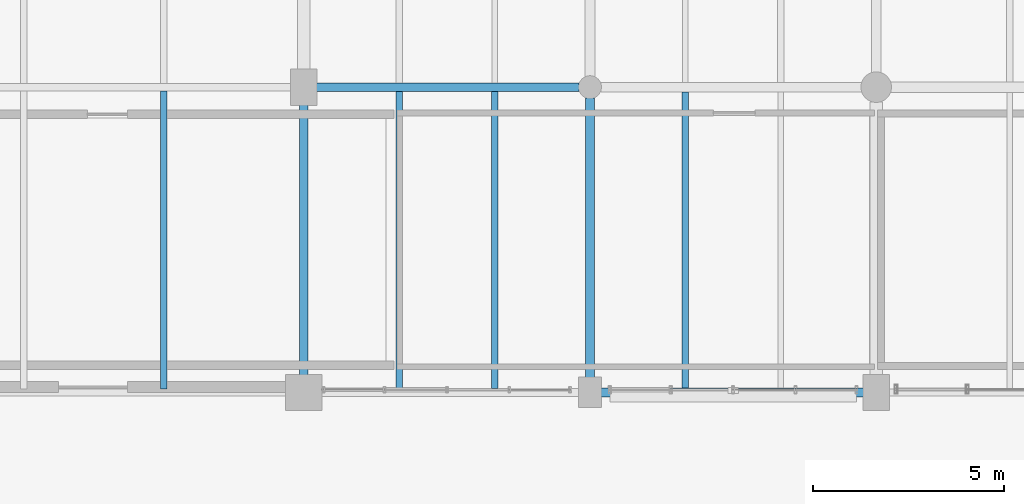
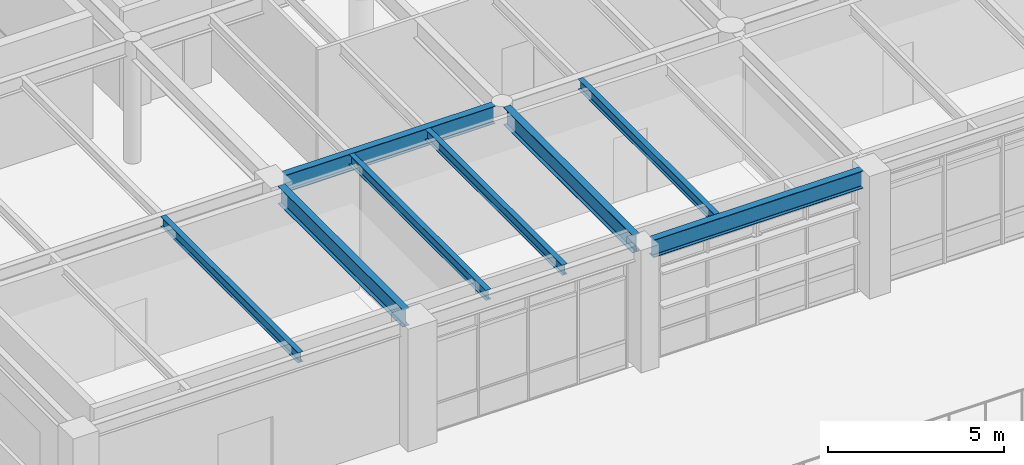
# One storey, part 71 of 168: 8 beams.
"""IFC4 building model written with IfcOpenShell, lengths in metres."""

from ifc_helpers import new_model, si_unit, direction, frame, origin, origin_2d, place, context, subcontext, project, spatial, i_section, extrude, material, material_profile, profile_set, type_object, element, save


model = new_model("IFC4")

# Units and contexts
model_context = context("Model", 3, precision=1e-05, world=origin(), true_north=direction((0.0, 1.0)))
body_context = subcontext(model_context, "Body", "Model", "MODEL_VIEW")
ifc_project = project(units=[si_unit("LENGTHUNIT", "METRE"), si_unit("AREAUNIT", "SQUARE_METRE"), si_unit("VOLUMEUNIT", "CUBIC_METRE"), si_unit("PLANEANGLEUNIT", "RADIAN"), si_unit("MASSUNIT", "GRAM", prefix="KILO"), si_unit("THERMODYNAMICTEMPERATUREUNIT", "KELVIN"), si_unit("POWERUNIT", "WATT")], contexts=[model_context])

# Site, building, storey
site_placement = place(None, origin())
site = spatial("IfcSite", under=ifc_project, at=site_placement, CompositionType="ELEMENT")
building_placement = place(site_placement, origin())
building = spatial("IfcBuilding", under=site, at=building_placement, Name="Tepalcoro Natatorium and Aquatics Centre", CompositionType="ELEMENT")
storey_placement = place(building_placement, frame((0.0, 0.0, 10.199951171875)))
storey = spatial("IfcBuildingStorey", under=building, at=storey_placement, Name="L02", CompositionType="ELEMENT", Elevation=10.199951171875)

# Beams
ifc_material = material(Name="Steel ASTM A992 Grade 50 (Fy 345 MPa)", Category="steel")
ifc_material_profile_1 = material_profile(ifc_material, i_section(OverallWidth=0.22802734375, OverallDepth=0.60693359375, WebThickness=0.010986328125, FlangeThickness=0.01708984375, FilletRadius=0.013916015625, at=origin_2d()), Name="W24X76")
ifc_profile_set_1 = profile_set([ifc_material_profile_1], Name="Steel ASTM A992 Grade 50 (Fy 345 MPa)")
beam_type_1 = type_object("IfcBeamType", Name="BM_W24x76", PredefinedType="BEAM", material=ifc_profile_set_1)
beam_1_placement = place(storey_placement, frame((21.3349609375, 102.0, 3.931640625), z_axis=(1.0, 0.0, 0.0), x_axis=(0.0, 1.0, 0.0)))
element("IfcBeam", 1, at=beam_1_placement, inside=storey, type_object=beam_type_1, Name="V4 L02 Grid Girder X", PredefinedType="BEAM", context=body_context, shape_type="SweptSolid", body=[
    extrude(i_section(OverallWidth=0.22802734375, OverallDepth=0.60693359375, WebThickness=0.010986328125, FlangeThickness=0.01708984375, FilletRadius=0.013916015625, at=origin_2d()), origin(), (0.0, 0.0, 1.0), 6.880126953125),
])
beam_2_placement = place(storey_placement, frame((21.0, 94.4599609375, 3.931640625), z_axis=(0.0, 1.0, 0.0), x_axis=(-1.0, 0.0, 0.0)))
element("IfcBeam", 2, at=beam_2_placement, inside=storey, type_object=beam_type_1, Name="V4 L02 Grid Girder Y", PredefinedType="BEAM", context=body_context, shape_type="SweptSolid", body=[
    extrude(i_section(OverallWidth=0.22802734375, OverallDepth=0.60693359375, WebThickness=0.010986328125, FlangeThickness=0.01708984375, FilletRadius=0.013916015625, at=origin_2d()), origin(), (0.0, 0.0, 1.0), 7.080078125),
])
ifc_material_profile_2 = material_profile(ifc_material, i_section(OverallWidth=0.22998046875, OverallDepth=0.616943359375, WebThickness=0.012939453125, FlangeThickness=0.02197265625, FilletRadius=0.013916015625, at=origin_2d()), Name="W24X94")
ifc_profile_set_2 = profile_set([ifc_material_profile_2], Name="Steel ASTM A992 Grade 50 (Fy 345 MPa)")
beam_type_2 = type_object("IfcBeamType", Name="BM_W24x94", PredefinedType="BEAM", material=ifc_profile_set_2)
beam_3_placement = place(storey_placement, frame((28.5, 94.385009765625, 3.926513671875), z_axis=(0.0, 1.0, 0.0), x_axis=(-1.0, 0.0, 0.0)))
element("IfcBeam", 3, at=beam_3_placement, inside=storey, type_object=beam_type_2, Name="V4 L02 Grid Girder Y", PredefinedType="BEAM", context=body_context, shape_type="SweptSolid", body=[
    extrude(i_section(OverallWidth=0.22998046875, OverallDepth=0.616943359375, WebThickness=0.012939453125, FlangeThickness=0.02197265625, FilletRadius=0.013916015625, at=origin_2d()), origin(), (0.0, 0.0, 1.0), 7.330078125),
])
ifc_material_profile_3 = material_profile(ifc_material, i_section(OverallWidth=0.1708984375, OverallDepth=0.35107421875, WebThickness=0.007080078125, FlangeThickness=0.010009765625, FilletRadius=0.013916015625, at=origin_2d()), Name="W14X30")
ifc_profile_set_3 = profile_set([ifc_material_profile_3], Name="Steel ASTM A992 Grade 50 (Fy 345 MPa)")
beam_type_3 = type_object("IfcBeamType", Name="JS_W14x30", PredefinedType="JOIST", material=ifc_profile_set_3)
beam_4_placement = place(storey_placement, frame((17.333251953125, 94.095458984375, 4.0595703125), z_axis=(0.0, 1.0, 0.0), x_axis=(-1.0, 0.0, 0.0)))
element("IfcBeam", 4, at=beam_4_placement, inside=storey, type_object=beam_type_3, Name="V4 L02 Floor Joist", PredefinedType="JOIST", context=body_context, shape_type="SweptSolid", body=[
    extrude(i_section(OverallWidth=0.1708984375, OverallDepth=0.35107421875, WebThickness=0.007080078125, FlangeThickness=0.010009765625, FilletRadius=0.013916015625, at=origin_2d()), origin(), (0.0, 0.0, 1.0), 7.80810546875),
])
beam_5_placement = place(storey_placement, frame((23.5, 94.10498046875, 4.0595703125), z_axis=(0.0, 1.0, 0.0), x_axis=(-1.0, 0.0, 0.0)))
element("IfcBeam", 5, at=beam_5_placement, inside=storey, type_object=beam_type_3, Name="V4 L02 Floor Joist", PredefinedType="JOIST", context=body_context, shape_type="SweptSolid", body=[
    extrude(i_section(OverallWidth=0.1708984375, OverallDepth=0.35107421875, WebThickness=0.007080078125, FlangeThickness=0.010009765625, FilletRadius=0.013916015625, at=origin_2d()), origin(), (0.0, 0.0, 1.0), 7.781005859375),
])
ifc_material_profile_4 = material_profile(ifc_material, i_section(OverallWidth=0.172119140625, OverallDepth=0.35791015625, WebThickness=0.008056640625, FlangeThickness=0.012939453125, FilletRadius=0.013916015625, at=origin_2d()), Name="W14X38")
ifc_profile_set_4 = profile_set([ifc_material_profile_4], Name="Steel ASTM A992 Grade 50 (Fy 345 MPa)")
beam_type_4 = type_object("IfcBeamType", Name="JS_W14x38", PredefinedType="JOIST", material=ifc_profile_set_4)
beam_6_placement = place(storey_placement, frame((26.0, 94.10498046875, 4.05615234375), z_axis=(0.0, 1.0, 0.0), x_axis=(-1.0, 0.0, 0.0)))
element("IfcBeam", 6, at=beam_6_placement, inside=storey, type_object=beam_type_4, Name="V4 L02 Floor Joist", PredefinedType="JOIST", context=body_context, shape_type="SweptSolid", body=[
    extrude(i_section(OverallWidth=0.172119140625, OverallDepth=0.35791015625, WebThickness=0.008056640625, FlangeThickness=0.012939453125, FilletRadius=0.013916015625, at=origin_2d()), origin(), (0.0, 0.0, 1.0), 7.781005859375),
])
beam_7_placement = place(storey_placement, frame((31.0, 94.114501953125, 4.05615234375), z_axis=(0.0, 1.0, 0.0), x_axis=(-1.0, 0.0, 0.0)))
element("IfcBeam", 7, at=beam_7_placement, inside=storey, type_object=beam_type_4, Name="V4 L02 Floor Joist", PredefinedType="JOIST", context=body_context, shape_type="SweptSolid", body=[
    extrude(i_section(OverallWidth=0.172119140625, OverallDepth=0.35791015625, WebThickness=0.008056640625, FlangeThickness=0.012939453125, FilletRadius=0.013916015625, at=origin_2d()), origin(), (0.0, 0.0, 1.0), 7.758544921875),
])
ifc_material_profile_5 = material_profile(ifc_material, i_section(OverallWidth=0.22900390625, OverallDepth=0.612060546875, WebThickness=0.011962890625, FlangeThickness=0.02001953125, FilletRadius=0.013916015625, at=origin_2d()), Name="W24X84")
ifc_profile_set_5 = profile_set([ifc_material_profile_5], Name="Steel ASTM A992 Grade 50 (Fy 345 MPa)")
beam_type_5 = type_object("IfcBeamType", Name="SP_W24x84", PredefinedType="SPANDREL", material=ifc_profile_set_5)
beam_8_placement = place(storey_placement, frame((28.784912109375, 94.0, 3.928955078125), z_axis=(1.0, 0.0, 0.0), x_axis=(0.0, 1.0, 0.0)))
element("IfcBeam", 8, at=beam_8_placement, inside=storey, type_object=beam_type_5, Name="V4 L02 Grid Girder X", PredefinedType="SPANDREL", context=body_context, shape_type="SweptSolid", body=[
    extrude(i_section(OverallWidth=0.22900390625, OverallDepth=0.612060546875, WebThickness=0.011962890625, FlangeThickness=0.02001953125, FilletRadius=0.013916015625, at=origin_2d()), origin(), (0.0, 0.0, 1.0), 6.880126953125),
])

save(model, "model.ifc")
